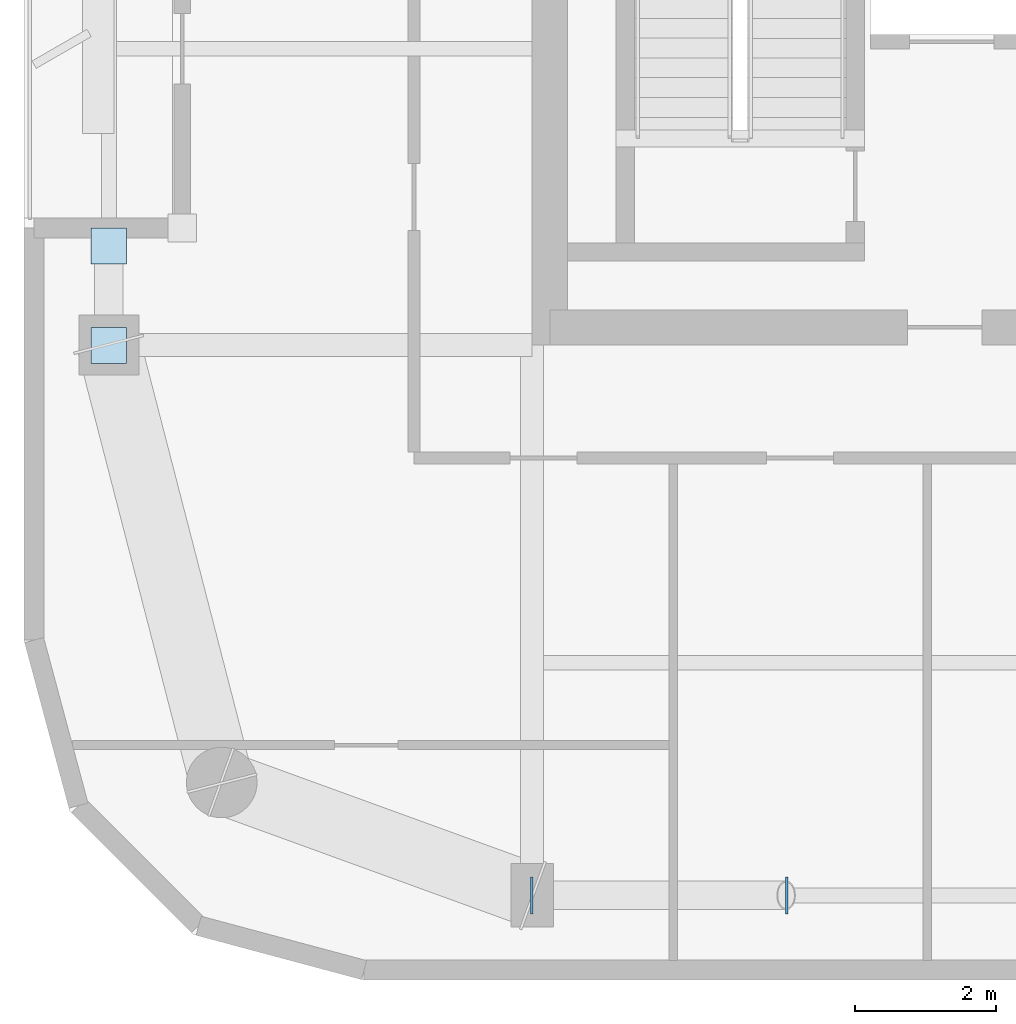
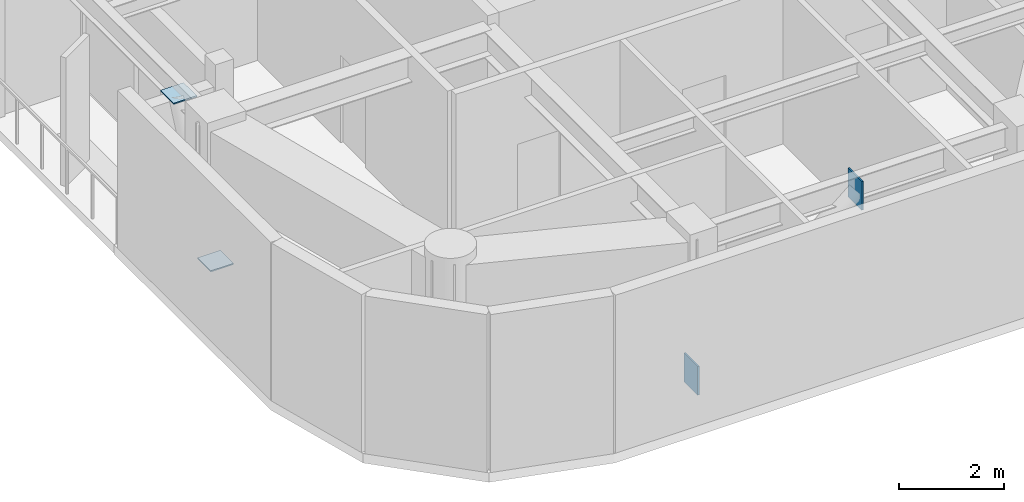
# One storey, part 8 of 16: 4 plates.
"""IFC4 building model written with IfcOpenShell, lengths in metres."""

from ifc_helpers import new_model, si_unit, direction, frame, origin, origin_2d, place, context, subcontext, project, spatial, rectangle, extrude, material, layer, layer_set, type_object, element, save


model = new_model("IFC4")

# Units and contexts
model_context = context("Model", 3, precision=1e-05, world=origin(), true_north=direction((0.0, 1.0)))
body_context = subcontext(model_context, "Body", "Model", "MODEL_VIEW")
ifc_project = project(units=[si_unit("LENGTHUNIT", "METRE"), si_unit("AREAUNIT", "SQUARE_METRE"), si_unit("VOLUMEUNIT", "CUBIC_METRE"), si_unit("PLANEANGLEUNIT", "RADIAN"), si_unit("MASSUNIT", "GRAM", prefix="KILO")], contexts=[model_context])

# Site, building, storey
site_placement = place(None, origin())
site = spatial("IfcSite", under=ifc_project, at=site_placement, CompositionType="ELEMENT")
building_placement = place(site_placement, origin())
building = spatial("IfcBuilding", under=site, at=building_placement, Name="Kiyonajd Concourse Tower", CompositionType="ELEMENT")
storey_placement = place(building_placement, frame((0.0, 0.0, 302.39990234375)))
storey = spatial("IfcBuildingStorey", under=building, at=storey_placement, Name="L76", CompositionType="ELEMENT", Elevation=302.39990234375)

# Plates
ifc_material = material(Name="Steel ASTM A572 Grade 50", Category="steel")
ifc_layer = layer(ifc_material, 0.028076171875)
ifc_layer_set = layer_set([ifc_layer], Name="Steel ASTM A572 Grade 50")
plate_type = type_object("IfcPlateType", Name="PL-CAP-450", PredefinedType="USERDEFINED", material=ifc_layer_set)
for number, where, z_axis, x_axis, name in (
    (1, (32.3916015625, 19.800048828125, -0.04248046875), (0.0, 0.0, 1.0), (-1.0, 0.0, 0.0), "L76 Hollow Brace End Cap Plate PBS"),
    (2, (36.00830078125, 19.800048828125, 3.001708984375), (0.0, 0.0, 1.0), (1.0, 0.0, 0.0), "L76 Hollow Brace Top Cap Plate PBS"),
):
    element("IfcPlate", number, at=place(storey_placement, frame(where, z_axis=z_axis, x_axis=x_axis)), inside=storey, type_object=plate_type, Name=name, ObjectType="CAP PLATE", PredefinedType="USERDEFINED", context=body_context, shape_type="SweptSolid", body=[
        extrude(rectangle(XDim=0.035888671875, YDim=0.52587890625, at=origin_2d()), origin(), (0.0, 0.0, 1.0), 0.6708984375),
    ])
for number, where, z_axis, x_axis, name in (
    (3, (26.39990234375, 27.595458984375, 0.27587890625), (0.0, 0.0, 1.0), (1.0, 0.0, 0.0), "L76 Hollow Brace End Cap Plate PBW"),
    (4, (26.39990234375, 29.004638671875, 3.326171875), (0.0, 0.0, 1.0), (1.0, 0.0, 0.0), "L76 Hollow Brace Top Cap Plate PBW"),
):
    element("IfcPlate", number, at=place(storey_placement, frame(where, z_axis=z_axis, x_axis=x_axis)), inside=storey, type_object=plate_type, Name=name, ObjectType="CAP PLATE", PredefinedType="USERDEFINED", context=body_context, shape_type="SweptSolid", body=[
        extrude(rectangle(XDim=0.506103515625, YDim=0.506103515625, at=origin_2d()), origin(), (0.0, 0.0, 1.0), 0.028076171875),
    ])

save(model, "model.ifc")
